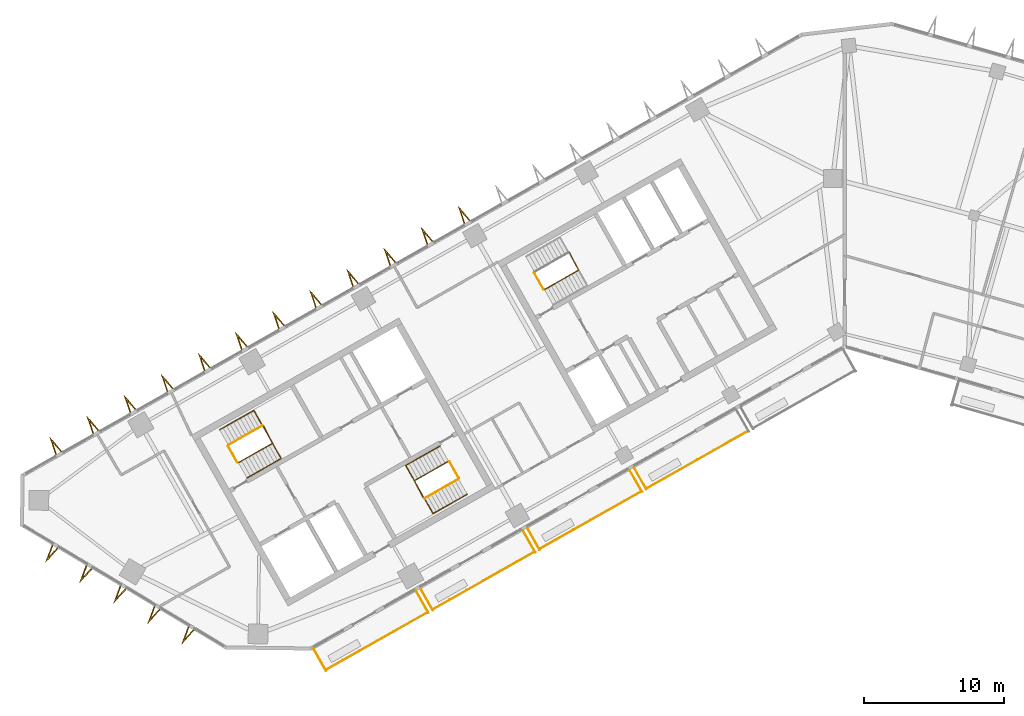
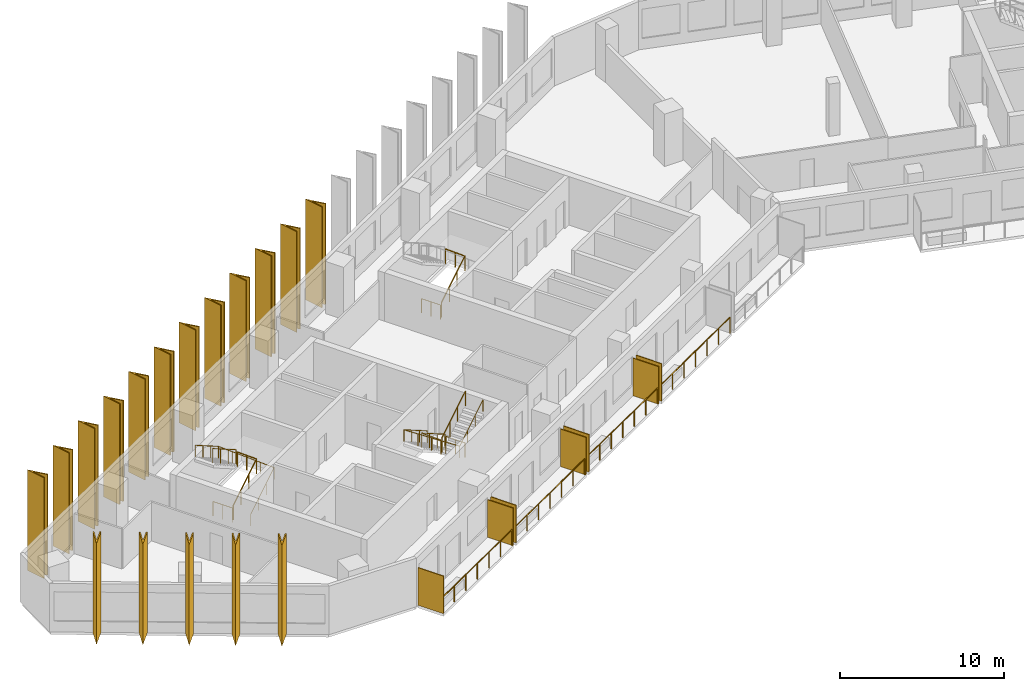
# One storey, part 10 of 12: 24 shading devices, 14 railings.
"""IFC4 building model written with IfcOpenShell, lengths in metres."""

from ifc_helpers import new_model, si_unit, direction, frame, origin, origin_2d, place, context, subcontext, project, spatial, polyline, rectangle, circle, outline, extrude, material, layer, layer_set, type_object, element, save


model = new_model("IFC4")

# Units and contexts
model_context = context("Model", 3, precision=1e-05, world=origin(), true_north=direction((0.0, 1.0)))
body_context = subcontext(model_context, "Body", "Model", "MODEL_VIEW")
ifc_project = project(units=[si_unit("LENGTHUNIT", "METRE"), si_unit("AREAUNIT", "SQUARE_METRE"), si_unit("VOLUMEUNIT", "CUBIC_METRE"), si_unit("PLANEANGLEUNIT", "RADIAN"), si_unit("MASSUNIT", "GRAM", prefix="KILO")], contexts=[model_context])

# Site, building, storey
site_placement = place(None, origin())
site = spatial("IfcSite", under=ifc_project, at=site_placement, CompositionType="ELEMENT")
building_placement = place(site_placement, origin())
building = spatial("IfcBuilding", under=site, at=building_placement, Name="Binnacle Exchange Tower", CompositionType="ELEMENT")
storey_placement = place(building_placement, frame((0.0, 0.0, 238.699951171875)))
storey = spatial("IfcBuildingStorey", under=building, at=storey_placement, Name="L52", CompositionType="ELEMENT", Elevation=238.699951171875)

# Railings
ifc_material_1 = material(Name="Bronze anodised aluminium frame", Category="aluminium")
railing_type_1 = type_object("IfcRailingType", Name="GUARD 1200", PredefinedType="GUARDRAIL", material=ifc_material_1)
railing_1_placement = place(storey_placement, frame((-37.006591796875, 24.94287109375, 0.0)))
element("IfcRailing", 1, at=railing_1_placement, inside=storey, type_object=railing_type_1, Name="Balcony guard G01-B00 L52", PredefinedType="GUARDRAIL", context=body_context, shape_type="SweptSolid", body=[
    extrude(circle(Radius=0.02392578125, at=origin_2d()), frame((0.0, 0.0, 1.17578125), z_axis=(0.870353267448, 0.492427852424, 0.0), x_axis=(-0.492427852424, 0.870353267448, 0.0)), (0.0, 0.0, 1.0), 8.334716796875),
    extrude(circle(Radius=0.02099609375, at=origin_2d()), origin(), (0.0, 0.0, 1.0), 1.15185546875),
    extrude(circle(Radius=0.02099609375, at=origin_2d()), frame((1.208984375, 0.68408203125, 0.0)), (0.0, 0.0, 1.0), 1.15185546875),
    extrude(circle(Radius=0.02099609375, at=origin_2d()), frame((2.41796875, 1.3681640625, 0.0)), (0.0, 0.0, 1.0), 1.15185546875),
    extrude(circle(Radius=0.02099609375, at=origin_2d()), frame((3.626953125, 2.05224609375, 0.0)), (0.0, 0.0, 1.0), 1.15185546875),
    extrude(circle(Radius=0.02099609375, at=origin_2d()), frame((4.836181640625, 2.736083984375, 0.0)), (0.0, 0.0, 1.0), 1.15185546875),
    extrude(circle(Radius=0.02099609375, at=origin_2d()), frame((6.045166015625, 3.420166015625, 0.0)), (0.0, 0.0, 1.0), 1.15185546875),
    extrude(circle(Radius=0.02099609375, at=origin_2d()), frame((7.254150390625, 4.104248046875, 0.0)), (0.0, 0.0, 1.0), 1.15185546875),
])
railing_2_placement = place(storey_placement, frame((-29.386962890625, 29.25390625, 0.0)))
element("IfcRailing", 2, at=railing_2_placement, inside=storey, type_object=railing_type_1, Name="Balcony guard G01-B01 L52", PredefinedType="GUARDRAIL", context=body_context, shape_type="SweptSolid", body=[
    extrude(circle(Radius=0.02392578125, at=origin_2d()), frame((0.0, 0.0, 1.17578125), z_axis=(0.870365821494, 0.492405662818, 0.0), x_axis=(-0.492405662818, 0.870365821494, 0.0)), (0.0, 0.0, 1.0), 8.334716796875),
    extrude(circle(Radius=0.02099609375, at=origin_2d()), origin(), (0.0, 0.0, 1.0), 1.15185546875),
    extrude(circle(Radius=0.02099609375, at=origin_2d()), frame((1.208984375, 0.68408203125, 0.0)), (0.0, 0.0, 1.0), 1.15185546875),
    extrude(circle(Radius=0.02099609375, at=origin_2d()), frame((2.41796875, 1.367919921875, 0.0)), (0.0, 0.0, 1.0), 1.15185546875),
    extrude(circle(Radius=0.02099609375, at=origin_2d()), frame((3.626953125, 2.052001953125, 0.0)), (0.0, 0.0, 1.0), 1.15185546875),
    extrude(circle(Radius=0.02099609375, at=origin_2d()), frame((4.836181640625, 2.736083984375, 0.0)), (0.0, 0.0, 1.0), 1.15185546875),
    extrude(circle(Radius=0.02099609375, at=origin_2d()), frame((6.045166015625, 3.419921875, 0.0)), (0.0, 0.0, 1.0), 1.15185546875),
    extrude(circle(Radius=0.02099609375, at=origin_2d()), frame((7.254150390625, 4.10400390625, 0.0)), (0.0, 0.0, 1.0), 1.15185546875),
])
for number, where, name in (
    (3, (-21.767333984375, 33.564697265625, 0.0), "Balcony guard G01-B02 L52"),
    (4, (-14.147705078125, 37.875732421875, 0.0), "Balcony guard G01-B03 L52"),
):
    element("IfcRailing", number, at=place(storey_placement, frame(where)), inside=storey, type_object=railing_type_1, Name=name, PredefinedType="GUARDRAIL", context=body_context, shape_type="SweptSolid", body=[
        extrude(circle(Radius=0.02392578125, at=origin_2d()), frame((0.0, 0.0, 1.17578125), z_axis=(0.8703461643, 0.49244040684, 0.0), x_axis=(-0.49244040684, 0.8703461643, 0.0)), (0.0, 0.0, 1.0), 8.33447265625),
        extrude(circle(Radius=0.02099609375, at=origin_2d()), origin(), (0.0, 0.0, 1.0), 1.15185546875),
        extrude(circle(Radius=0.02099609375, at=origin_2d()), frame((1.208984375, 0.68408203125, 0.0)), (0.0, 0.0, 1.0), 1.15185546875),
        extrude(circle(Radius=0.02099609375, at=origin_2d()), frame((2.41796875, 1.3681640625, 0.0)), (0.0, 0.0, 1.0), 1.15185546875),
        extrude(circle(Radius=0.02099609375, at=origin_2d()), frame((3.626953125, 2.05224609375, 0.0)), (0.0, 0.0, 1.0), 1.15185546875),
        extrude(circle(Radius=0.02099609375, at=origin_2d()), frame((4.8359375, 2.736083984375, 0.0)), (0.0, 0.0, 1.0), 1.15185546875),
        extrude(circle(Radius=0.02099609375, at=origin_2d()), frame((6.044921875, 3.420166015625, 0.0)), (0.0, 0.0, 1.0), 1.15185546875),
        extrude(circle(Radius=0.02099609375, at=origin_2d()), frame((7.25390625, 4.104248046875, 0.0)), (0.0, 0.0, 1.0), 1.15185546875),
    ])

# Shading devices
ifc_material_2 = material(Name="Bronze aluminium louvre", Category="aluminium")
ifc_layer = layer(ifc_material_2, 0.06005859375)
ifc_layer_set = layer_set([ifc_layer], Name="PLANTED SCREEN 60x2800")
shading_device_type_1 = type_object("IfcShadingDeviceType", Name="PLANTED SCREEN 60x2800", PredefinedType="USERDEFINED", material=ifc_layer_set)
for number, where, z_axis, x_axis, name in (
    (5, (-37.436279296875, 25.641845703125, 0.0), (0.0, 0.0, 1.0), (0.87035569594, 0.492423560103, 0.0), "Planted screen G01-B00a L52"),
    (6, (-30.130126953125, 29.775390625, 0.0), (0.0, 0.0, 1.0), (0.87035569594, 0.492423560103, 0.0), "Planted screen G01-B00b L52"),
    (7, (-29.81689453125, 29.95263671875, 0.0), (0.0, 0.0, 1.0), (0.87035569594, 0.492423560103, 0.0), "Planted screen G01-B01a L52"),
    (8, (-22.510498046875, 34.08642578125, 0.0), (0.0, 0.0, 1.0), (0.87035569594, 0.492423560103, 0.0), "Planted screen G01-B01b L52"),
    (9, (-22.197265625, 34.263671875, 0.0), (0.0, 0.0, 1.0), (0.87035569594, 0.492423560103, 0.0), "Planted screen G01-B02a L52"),
    (10, (-14.89111328125, 38.3974609375, 0.0), (0.0, 0.0, 1.0), (0.87035569594, 0.492423560103, 0.0), "Planted screen G01-B02b L52"),
    (11, (-14.57763671875, 38.57470703125, 0.0), (0.0, 0.0, 1.0), (0.87035569594, 0.492423560103, 0.0), "Planted screen G01-B03a L52"),
):
    element("IfcShadingDevice", number, at=place(storey_placement, frame(where, z_axis=z_axis, x_axis=x_axis)), inside=storey, type_object=shading_device_type_1, Name=name, ObjectType="SCREEN", PredefinedType="USERDEFINED", context=body_context, shape_type="SweptSolid", body=[
        extrude(rectangle(XDim=0.06005859375, YDim=1.800048828125, at=origin_2d()), origin(), (0.0, 0.0, 1.0), 2.800048828125),
    ])

# Railings
ifc_material_3 = material(Name="Steel guard rail", Category="steel")
railing_type_2 = type_object("IfcRailingType", Name="STAIR GUARD 1100", PredefinedType="GUARDRAIL", material=ifc_material_3)
railing_3_placement = place(storey_placement, frame((-43.26171875, 39.71728515625, 0.17724609375)))
element("IfcRailing", 12, at=railing_3_placement, inside=storey, type_object=railing_type_2, Name="L52 STA1 stair guard 1", PredefinedType="GUARDRAIL", context=body_context, shape_type="SweptSolid", body=[
    extrude(circle(Radius=0.02392578125, at=origin_2d()), frame((0.0, 0.0, 1.076171875), z_axis=(0.735358749054, 0.416079564682, 0.534906819964), x_axis=(-0.492453686477, 0.870338650569, 0.0)), (0.0, 0.0, 1.0), 3.31396484375),
    extrude(circle(Radius=0.02392578125, at=origin_2d()), frame((2.43701171875, 1.37890625, 2.8486328125), z_axis=(-0.461100321709, 0.887348011391, 0.0), x_axis=(-0.887348011391, -0.461100321709, 0.0)), (0.0, 0.0, 1.0), 1.40087890625),
    extrude(circle(Radius=0.02099609375, at=origin_2d()), origin(), (0.0, 0.0, 1.0), 1.052001953125),
    extrude(circle(Radius=0.02099609375, at=origin_2d()), frame((0.812255859375, 0.459716796875, 0.5908203125)), (0.0, 0.0, 1.0), 1.052001953125),
    extrude(circle(Radius=0.02099609375, at=origin_2d()), frame((1.624755859375, 0.919189453125, 1.181884765625)), (0.0, 0.0, 1.0), 1.052001953125),
    extrude(circle(Radius=0.02099609375, at=origin_2d()), frame((2.43701171875, 1.37890625, 1.772705078125)), (0.0, 0.0, 1.0), 1.052001953125),
    extrude(circle(Radius=0.02099609375, at=origin_2d()), frame((2.114013671875, 2.00048828125, 1.772705078125)), (0.0, 0.0, 1.0), 1.052001953125),
    extrude(circle(Radius=0.02099609375, at=origin_2d()), frame((1.791015625, 2.6220703125, 1.772705078125)), (0.0, 0.0, 1.0), 1.052001953125),
])
railing_4_placement = place(storey_placement, frame((-41.538818359375, 42.358154296875, 2.12744140625)))
element("IfcRailing", 13, at=railing_4_placement, inside=storey, type_object=railing_type_2, Name="L52 STA1 stair guard 2", PredefinedType="GUARDRAIL", context=body_context, shape_type="SweptSolid", body=[
    extrude(circle(Radius=0.02392578125, at=origin_2d()), frame((0.0, 0.0, 1.076171875), z_axis=(-0.735358749054, -0.416079564682, 0.534906819964), x_axis=(0.492453686477, -0.870338650569, 0.0)), (0.0, 0.0, 1.0), 3.31396484375),
    extrude(circle(Radius=0.02099609375, at=origin_2d()), origin(), (0.0, 0.0, 1.0), 1.052001953125),
    extrude(circle(Radius=0.02099609375, at=origin_2d()), frame((-0.812255859375, -0.459716796875, 0.5908203125)), (0.0, 0.0, 1.0), 1.052001953125),
    extrude(circle(Radius=0.02099609375, at=origin_2d()), frame((-1.624755859375, -0.919189453125, 1.181884765625)), (0.0, 0.0, 1.0), 1.052001953125),
    extrude(circle(Radius=0.02099609375, at=origin_2d()), frame((-2.43701171875, -1.37890625, 1.772705078125)), (0.0, 0.0, 1.0), 1.052001953125),
])
railing_5_placement = place(storey_placement, frame((-43.329833984375, 39.736328125, 0.0)))
element("IfcRailing", 14, at=railing_5_placement, inside=storey, type_object=railing_type_2, Name="L52 STA1 stair guard 3", PredefinedType="GUARDRAIL", context=body_context, shape_type="SweptSolid", body=[
    extrude(circle(Radius=0.02392578125, at=origin_2d()), frame((0.0, 0.0, 1.076171875), z_axis=(-0.4924922531, 0.870316827734, 0.0), x_axis=(-0.870316827734, -0.4924922531, 0.0)), (0.0, 0.0, 1.0), 1.349853515625),
    extrude(circle(Radius=0.02099609375, at=origin_2d()), origin(), (0.0, 0.0, 1.0), 1.052001953125),
    extrude(circle(Radius=0.02099609375, at=origin_2d()), frame((-0.33251953125, 0.58740234375, 0.0)), (0.0, 0.0, 1.0), 1.052001953125),
    extrude(circle(Radius=0.02099609375, at=origin_2d()), frame((-0.664794921875, 1.1748046875, 0.0)), (0.0, 0.0, 1.0), 1.052001953125),
])
railing_6_placement = place(storey_placement, frame((-28.265380859375, 39.814453125, 0.17724609375)))
element("IfcRailing", 15, at=railing_6_placement, inside=storey, type_object=railing_type_2, Name="L52 STA2 stair guard 1", PredefinedType="GUARDRAIL", context=body_context, shape_type="SweptSolid", body=[
    extrude(circle(Radius=0.02392578125, at=origin_2d()), frame((0.0, 0.0, 1.076171875), z_axis=(-0.735381288273, -0.416018647052, 0.534923215202), x_axis=(0.492387636113, -0.870376019777, 0.0)), (0.0, 0.0, 1.0), 3.31396484375),
    extrude(circle(Radius=0.02392578125, at=origin_2d()), frame((-2.43701171875, -1.378662109375, 2.8486328125), z_axis=(0.460963092712, -0.887419307406, 0.0), x_axis=(0.887419307406, 0.460963092712, 0.0)), (0.0, 0.0, 1.0), 1.40087890625),
    extrude(circle(Radius=0.02099609375, at=origin_2d()), origin(), (0.0, 0.0, 1.0), 1.052001953125),
    extrude(circle(Radius=0.02099609375, at=origin_2d()), frame((-0.812255859375, -0.45947265625, 0.5908203125)), (0.0, 0.0, 1.0), 1.052001953125),
    extrude(circle(Radius=0.02099609375, at=origin_2d()), frame((-1.624755859375, -0.919189453125, 1.181884765625)), (0.0, 0.0, 1.0), 1.052001953125),
    extrude(circle(Radius=0.02099609375, at=origin_2d()), frame((-2.43701171875, -1.378662109375, 1.772705078125)), (0.0, 0.0, 1.0), 1.052001953125),
    extrude(circle(Radius=0.02099609375, at=origin_2d()), frame((-2.1142578125, -2.000244140625, 1.772705078125)), (0.0, 0.0, 1.0), 1.052001953125),
    extrude(circle(Radius=0.02099609375, at=origin_2d()), frame((-1.791259765625, -2.621826171875, 1.772705078125)), (0.0, 0.0, 1.0), 1.052001953125),
])
railing_7_placement = place(storey_placement, frame((-29.988525390625, 37.173583984375, 2.12744140625)))
element("IfcRailing", 16, at=railing_7_placement, inside=storey, type_object=railing_type_2, Name="L52 STA2 stair guard 2", PredefinedType="GUARDRAIL", context=body_context, shape_type="SweptSolid", body=[
    extrude(circle(Radius=0.02392578125, at=origin_2d()), frame((0.0, 0.0, 1.076171875), z_axis=(0.735358749054, 0.416079564682, 0.534906819964), x_axis=(-0.492453686477, 0.870338650569, 0.0)), (0.0, 0.0, 1.0), 3.31396484375),
    extrude(circle(Radius=0.02099609375, at=origin_2d()), origin(), (0.0, 0.0, 1.0), 1.052001953125),
    extrude(circle(Radius=0.02099609375, at=origin_2d()), frame((0.812255859375, 0.459716796875, 0.5908203125)), (0.0, 0.0, 1.0), 1.052001953125),
    extrude(circle(Radius=0.02099609375, at=origin_2d()), frame((1.624755859375, 0.919189453125, 1.181884765625)), (0.0, 0.0, 1.0), 1.052001953125),
    extrude(circle(Radius=0.02099609375, at=origin_2d()), frame((2.43701171875, 1.37890625, 1.772705078125)), (0.0, 0.0, 1.0), 1.052001953125),
])
railing_8_placement = place(storey_placement, frame((-28.197265625, 39.795654296875, 0.0)))
element("IfcRailing", 17, at=railing_8_placement, inside=storey, type_object=railing_type_2, Name="L52 STA2 stair guard 3", PredefinedType="GUARDRAIL", context=body_context, shape_type="SweptSolid", body=[
    extrude(circle(Radius=0.02392578125, at=origin_2d()), frame((0.0, 0.0, 1.076171875), z_axis=(0.49241474071, -0.870360685654, 0.0), x_axis=(0.870360685654, 0.49241474071, 0.0)), (0.0, 0.0, 1.0), 1.35009765625),
    extrude(circle(Radius=0.02099609375, at=origin_2d()), origin(), (0.0, 0.0, 1.0), 1.052001953125),
    extrude(circle(Radius=0.02099609375, at=origin_2d()), frame((0.33251953125, -0.58740234375, 0.0)), (0.0, 0.0, 1.0), 1.052001953125),
    extrude(circle(Radius=0.02099609375, at=origin_2d()), frame((0.664794921875, -1.175048828125, 0.0)), (0.0, 0.0, 1.0), 1.052001953125),
])
railing_9_placement = place(storey_placement, frame((-21.423828125, 52.07275390625, 0.17724609375)))
element("IfcRailing", 18, at=railing_9_placement, inside=storey, type_object=railing_type_2, Name="L52 STC1 stair guard 1", PredefinedType="GUARDRAIL", context=body_context, shape_type="SweptSolid", body=[
    extrude(circle(Radius=0.02392578125, at=origin_2d()), frame((0.0, 0.0, 1.076171875), z_axis=(0.735381288273, 0.416018647052, 0.534923215202), x_axis=(-0.492387636113, 0.870376019777, 0.0)), (0.0, 0.0, 1.0), 3.31396484375),
    extrude(circle(Radius=0.02392578125, at=origin_2d()), frame((2.43701171875, 1.378662109375, 2.8486328125), z_axis=(-0.460963092712, 0.887419307406, 0.0), x_axis=(-0.887419307406, -0.460963092712, 0.0)), (0.0, 0.0, 1.0), 1.40087890625),
    extrude(circle(Radius=0.02099609375, at=origin_2d()), origin(), (0.0, 0.0, 1.0), 1.052001953125),
    extrude(circle(Radius=0.02099609375, at=origin_2d()), frame((0.812255859375, 0.45947265625, 0.5908203125)), (0.0, 0.0, 1.0), 1.052001953125),
    extrude(circle(Radius=0.02099609375, at=origin_2d()), frame((1.624755859375, 0.919189453125, 1.181884765625)), (0.0, 0.0, 1.0), 1.052001953125),
    extrude(circle(Radius=0.02099609375, at=origin_2d()), frame((2.43701171875, 1.378662109375, 1.772705078125)), (0.0, 0.0, 1.0), 1.052001953125),
    extrude(circle(Radius=0.02099609375, at=origin_2d()), frame((2.1142578125, 2.000244140625, 1.772705078125)), (0.0, 0.0, 1.0), 1.052001953125),
    extrude(circle(Radius=0.02099609375, at=origin_2d()), frame((1.791259765625, 2.621826171875, 1.772705078125)), (0.0, 0.0, 1.0), 1.052001953125),
])
railing_10_placement = place(storey_placement, frame((-21.491943359375, 52.091552734375, 0.0)))
element("IfcRailing", 19, at=railing_10_placement, inside=storey, type_object=railing_type_2, Name="L52 STC1 stair guard 3", PredefinedType="GUARDRAIL", context=body_context, shape_type="SweptSolid", body=[
    extrude(circle(Radius=0.02392578125, at=origin_2d()), frame((0.0, 0.0, 1.076171875), z_axis=(-0.49241474071, 0.870360685654, 0.0), x_axis=(-0.870360685654, -0.49241474071, 0.0)), (0.0, 0.0, 1.0), 1.35009765625),
    extrude(circle(Radius=0.02099609375, at=origin_2d()), origin(), (0.0, 0.0, 1.0), 1.052001953125),
    extrude(circle(Radius=0.02099609375, at=origin_2d()), frame((-0.33251953125, 0.58740234375, 0.0)), (0.0, 0.0, 1.0), 1.052001953125),
    extrude(circle(Radius=0.02099609375, at=origin_2d()), frame((-0.664794921875, 1.175048828125, 0.0)), (0.0, 0.0, 1.0), 1.052001953125),
])
ifc_material_4 = material(Name="Steel handrail", Category="steel")
railing_type_3 = type_object("IfcRailingType", Name="STAIR HANDRAIL 900", PredefinedType="HANDRAIL", material=ifc_material_4)
railing_11_placement = place(storey_placement, frame((-42.646240234375, 38.62939453125, 0.17724609375)))
element("IfcRailing", 20, at=railing_11_placement, inside=storey, type_object=railing_type_3, Name="L52 STA1 stair handrail 1", PredefinedType="HANDRAIL", context=body_context, shape_type="SweptSolid", body=[
    extrude(circle(Radius=0.02392578125, at=origin_2d()), frame((0.0, 0.0, 0.8759765625), z_axis=(0.735381288273, 0.416018647052, 0.534923215202), x_axis=(-0.492387636113, 0.870376019777, 0.0)), (0.0, 0.0, 1.0), 3.31396484375),
    extrude(circle(Radius=0.02392578125, at=origin_2d()), frame((2.43701171875, 1.378662109375, 2.6484375), z_axis=(-0.491917278502, 0.869484011028, 0.044888146287), x_axis=(-0.870361318571, -0.492413622004, 0.0)), (0.0, 0.0, 1.0), 3.9541015625),
    extrude(circle(Radius=0.02392578125, at=origin_2d()), frame((0.491943359375, 4.816650390625, 2.826171875), z_axis=(-0.735381288273, -0.416018647052, 0.534923215202), x_axis=(0.492387636113, -0.870376019777, 0.0)), (0.0, 0.0, 1.0), 3.31396484375),
    extrude(circle(Radius=0.02099609375, at=origin_2d()), origin(), (0.0, 0.0, 1.0), 0.851806640625),
    extrude(circle(Radius=0.02099609375, at=origin_2d()), frame((0.812255859375, 0.45947265625, 0.5908203125)), (0.0, 0.0, 1.0), 0.851806640625),
    extrude(circle(Radius=0.02099609375, at=origin_2d()), frame((1.624755859375, 0.919189453125, 1.181884765625)), (0.0, 0.0, 1.0), 0.851806640625),
    extrude(circle(Radius=0.02099609375, at=origin_2d()), frame((2.43701171875, 1.378662109375, 1.772705078125)), (0.0, 0.0, 1.0), 0.851806640625),
    extrude(circle(Radius=0.02099609375, at=origin_2d()), frame((1.95068359375, 2.23828125, 1.817138671875)), (0.0, 0.0, 1.0), 0.851806640625),
    extrude(circle(Radius=0.02099609375, at=origin_2d()), frame((1.46435546875, 3.09765625, 1.861328125)), (0.0, 0.0, 1.0), 0.851806640625),
    extrude(circle(Radius=0.02099609375, at=origin_2d()), frame((0.978271484375, 3.95703125, 1.90576171875)), (0.0, 0.0, 1.0), 0.851806640625),
    extrude(circle(Radius=0.02099609375, at=origin_2d()), frame((0.491943359375, 4.816650390625, 1.9501953125)), (0.0, 0.0, 1.0), 0.851806640625),
    extrude(circle(Radius=0.02099609375, at=origin_2d()), frame((-0.3203125, 4.357177734375, 2.541015625)), (0.0, 0.0, 1.0), 0.851806640625),
    extrude(circle(Radius=0.02099609375, at=origin_2d()), frame((-1.1328125, 3.8974609375, 3.132080078125)), (0.0, 0.0, 1.0), 0.851806640625),
    extrude(circle(Radius=0.02099609375, at=origin_2d()), frame((-1.945068359375, 3.43798828125, 3.722900390625)), (0.0, 0.0, 1.0), 0.851806640625),
])
railing_12_placement = place(storey_placement, frame((-28.880859375, 40.90234375, 0.17724609375)))
element("IfcRailing", 21, at=railing_12_placement, inside=storey, type_object=railing_type_3, Name="L52 STA2 stair handrail 1", PredefinedType="HANDRAIL", context=body_context, shape_type="SweptSolid", body=[
    extrude(circle(Radius=0.02392578125, at=origin_2d()), frame((0.0, 0.0, 0.8759765625), z_axis=(-0.735381288273, -0.416018647052, 0.534923215202), x_axis=(0.492387636113, -0.870376019777, 0.0)), (0.0, 0.0, 1.0), 3.31396484375),
    extrude(circle(Radius=0.02392578125, at=origin_2d()), frame((-2.43701171875, -1.378662109375, 2.6484375), z_axis=(0.491917278502, -0.869484011028, 0.044888146287), x_axis=(0.870361318571, 0.492413622004, 0.0)), (0.0, 0.0, 1.0), 3.9541015625),
    extrude(circle(Radius=0.02392578125, at=origin_2d()), frame((-0.491943359375, -4.816650390625, 2.826171875), z_axis=(0.735358749054, 0.416079564682, 0.534906819964), x_axis=(-0.492453686477, 0.870338650569, 0.0)), (0.0, 0.0, 1.0), 3.31396484375),
    extrude(circle(Radius=0.02099609375, at=origin_2d()), origin(), (0.0, 0.0, 1.0), 0.851806640625),
    extrude(circle(Radius=0.02099609375, at=origin_2d()), frame((-0.812255859375, -0.45947265625, 0.5908203125)), (0.0, 0.0, 1.0), 0.851806640625),
    extrude(circle(Radius=0.02099609375, at=origin_2d()), frame((-1.624755859375, -0.919189453125, 1.181884765625)), (0.0, 0.0, 1.0), 0.851806640625),
    extrude(circle(Radius=0.02099609375, at=origin_2d()), frame((-2.43701171875, -1.378662109375, 1.772705078125)), (0.0, 0.0, 1.0), 0.851806640625),
    extrude(circle(Radius=0.02099609375, at=origin_2d()), frame((-1.95068359375, -2.23828125, 1.817138671875)), (0.0, 0.0, 1.0), 0.851806640625),
    extrude(circle(Radius=0.02099609375, at=origin_2d()), frame((-1.46435546875, -3.09765625, 1.861328125)), (0.0, 0.0, 1.0), 0.851806640625),
    extrude(circle(Radius=0.02099609375, at=origin_2d()), frame((-0.978271484375, -3.95703125, 1.90576171875)), (0.0, 0.0, 1.0), 0.851806640625),
    extrude(circle(Radius=0.02099609375, at=origin_2d()), frame((-0.491943359375, -4.816650390625, 1.9501953125)), (0.0, 0.0, 1.0), 0.851806640625),
    extrude(circle(Radius=0.02099609375, at=origin_2d()), frame((0.3203125, -4.35693359375, 2.541015625)), (0.0, 0.0, 1.0), 0.851806640625),
    extrude(circle(Radius=0.02099609375, at=origin_2d()), frame((1.1328125, -3.8974609375, 3.132080078125)), (0.0, 0.0, 1.0), 0.851806640625),
    extrude(circle(Radius=0.02099609375, at=origin_2d()), frame((1.945068359375, -3.437744140625, 3.722900390625)), (0.0, 0.0, 1.0), 0.851806640625),
])

# Shading devices
ifc_material_5 = material(Name="Bronze aluminium cladding", Category="aluminium")
shading_device_type_2 = type_object("IfcShadingDeviceType", Name="V FIN 1300 DEEP x 7520 HIGH", PredefinedType="USERDEFINED", material=ifc_material_5)
shading_device_1_placement = place(storey_placement, origin())
element("IfcShadingDevice", 22, at=shading_device_1_placement, inside=storey, type_object=shading_device_type_2, Name="V fin FN-G08-09 L52", ObjectType="FIN", PredefinedType="USERDEFINED", context=body_context, shape_type="SweptSolid", body=[
    extrude(outline(polyline([(-26.72900390625, 57.02099609375), (-27.586669921875, 58.029541015625), (-27.1640625, 56.77490234375), (-27.09326171875, 56.81494140625), (-27.3779296875, 57.660888671875), (-26.7998046875, 56.98095703125), (-26.72900390625, 57.02099609375)])), origin(), (0.0, 0.0, 1.0), 7.52001953125),
])
shading_device_2_placement = place(storey_placement, origin())
element("IfcShadingDevice", 23, at=shading_device_2_placement, inside=storey, type_object=shading_device_type_2, Name="V fin FN-G08-10 L52", ObjectType="FIN", PredefinedType="USERDEFINED", context=body_context, shape_type="SweptSolid", body=[
    extrude(outline(polyline([(-29.377685546875, 55.5224609375), (-30.2353515625, 56.531005859375), (-29.812744140625, 55.2763671875), (-29.741943359375, 55.31640625), (-30.026611328125, 56.162109375), (-29.448486328125, 55.482421875), (-29.377685546875, 55.5224609375)])), origin(), (0.0, 0.0, 1.0), 7.52001953125),
])
shading_device_3_placement = place(storey_placement, origin())
element("IfcShadingDevice", 24, at=shading_device_3_placement, inside=storey, type_object=shading_device_type_2, Name="V fin FN-G08-11 L52", ObjectType="FIN", PredefinedType="USERDEFINED", context=body_context, shape_type="SweptSolid", body=[
    extrude(outline(polyline([(-32.0263671875, 54.02392578125), (-32.884033203125, 55.032470703125), (-32.46142578125, 53.77783203125), (-32.390625, 53.81787109375), (-32.67529296875, 54.663818359375), (-32.09716796875, 53.98388671875), (-32.0263671875, 54.02392578125)])), origin(), (0.0, 0.0, 1.0), 7.52001953125),
])
shading_device_4_placement = place(storey_placement, origin())
element("IfcShadingDevice", 25, at=shading_device_4_placement, inside=storey, type_object=shading_device_type_2, Name="V fin FN-G08-12 L52", ObjectType="FIN", PredefinedType="USERDEFINED", context=body_context, shape_type="SweptSolid", body=[
    extrude(outline(polyline([(-34.675048828125, 52.525390625), (-35.53271484375, 53.53369140625), (-35.110107421875, 52.279296875), (-35.039306640625, 52.3193359375), (-35.32421875, 53.1650390625), (-34.745849609375, 52.4853515625), (-34.675048828125, 52.525390625)])), origin(), (0.0, 0.0, 1.0), 7.52001953125),
])
shading_device_5_placement = place(storey_placement, origin())
element("IfcShadingDevice", 26, at=shading_device_5_placement, inside=storey, type_object=shading_device_type_2, Name="V fin FN-G08-13 L52", ObjectType="FIN", PredefinedType="USERDEFINED", context=body_context, shape_type="SweptSolid", body=[
    extrude(outline(polyline([(-37.32373046875, 51.02685546875), (-38.181640625, 52.03515625), (-37.759033203125, 50.780517578125), (-37.68798828125, 50.82080078125), (-37.972900390625, 51.66650390625), (-37.394775390625, 50.98681640625), (-37.32373046875, 51.02685546875)])), origin(), (0.0, 0.0, 1.0), 7.52001953125),
])
shading_device_6_placement = place(storey_placement, origin())
element("IfcShadingDevice", 27, at=shading_device_6_placement, inside=storey, type_object=shading_device_type_2, Name="V fin FN-G08-14 L52", ObjectType="FIN", PredefinedType="USERDEFINED", context=body_context, shape_type="SweptSolid", body=[
    extrude(outline(polyline([(-39.972412109375, 49.5283203125), (-40.830322265625, 50.53662109375), (-40.40771484375, 49.281982421875), (-40.3369140625, 49.322021484375), (-40.62158203125, 50.16796875), (-40.04345703125, 49.488037109375), (-39.972412109375, 49.5283203125)])), origin(), (0.0, 0.0, 1.0), 7.52001953125),
])
shading_device_7_placement = place(storey_placement, origin())
element("IfcShadingDevice", 28, at=shading_device_7_placement, inside=storey, type_object=shading_device_type_2, Name="V fin FN-G08-15 L52", ObjectType="FIN", PredefinedType="USERDEFINED", context=body_context, shape_type="SweptSolid", body=[
    extrude(outline(polyline([(-42.621337890625, 48.029541015625), (-43.47900390625, 49.0380859375), (-43.056396484375, 47.783447265625), (-42.985595703125, 47.823486328125), (-43.2705078125, 48.669189453125), (-42.692138671875, 47.989501953125), (-42.621337890625, 48.029541015625)])), origin(), (0.0, 0.0, 1.0), 7.52001953125),
])
shading_device_8_placement = place(storey_placement, origin())
element("IfcShadingDevice", 29, at=shading_device_8_placement, inside=storey, type_object=shading_device_type_2, Name="V fin FN-G08-16 L52", ObjectType="FIN", PredefinedType="USERDEFINED", context=body_context, shape_type="SweptSolid", body=[
    extrude(outline(polyline([(-45.27001953125, 46.531005859375), (-46.127685546875, 47.539306640625), (-45.705078125, 46.284912109375), (-45.63427734375, 46.324951171875), (-45.919189453125, 47.170654296875), (-45.3408203125, 46.490966796875), (-45.27001953125, 46.531005859375)])), origin(), (0.0, 0.0, 1.0), 7.52001953125),
])
shading_device_9_placement = place(storey_placement, origin())
element("IfcShadingDevice", 30, at=shading_device_9_placement, inside=storey, type_object=shading_device_type_2, Name="V fin FN-G08-17 L52", ObjectType="FIN", PredefinedType="USERDEFINED", context=body_context, shape_type="SweptSolid", body=[
    extrude(outline(polyline([(-47.918701171875, 45.032470703125), (-48.776611328125, 46.040771484375), (-48.35400390625, 44.7861328125), (-48.283203125, 44.826416015625), (-48.56787109375, 45.672119140625), (-47.98974609375, 44.9921875), (-47.918701171875, 45.032470703125)])), origin(), (0.0, 0.0, 1.0), 7.52001953125),
])
shading_device_10_placement = place(storey_placement, origin())
element("IfcShadingDevice", 31, at=shading_device_10_placement, inside=storey, type_object=shading_device_type_2, Name="V fin FN-G08-18 L52", ObjectType="FIN", PredefinedType="USERDEFINED", context=body_context, shape_type="SweptSolid", body=[
    extrude(outline(polyline([(-50.5673828125, 43.533935546875), (-51.42529296875, 44.542236328125), (-51.002685546875, 43.28759765625), (-50.931884765625, 43.327880859375), (-51.216552734375, 44.173583984375), (-50.638427734375, 43.493896484375), (-50.5673828125, 43.533935546875)])), origin(), (0.0, 0.0, 1.0), 7.52001953125),
])
shading_device_11_placement = place(storey_placement, origin())
element("IfcShadingDevice", 32, at=shading_device_11_placement, inside=storey, type_object=shading_device_type_2, Name="V fin FN-G08-19 L52", ObjectType="FIN", PredefinedType="USERDEFINED", context=body_context, shape_type="SweptSolid", body=[
    extrude(outline(polyline([(-53.21630859375, 42.035400390625), (-54.073974609375, 43.043701171875), (-53.6513671875, 41.7890625), (-53.58056640625, 41.8291015625), (-53.865234375, 42.675048828125), (-53.287109375, 41.9951171875), (-53.21630859375, 42.035400390625)])), origin(), (0.0, 0.0, 1.0), 7.52001953125),
])
shading_device_12_placement = place(storey_placement, origin())
element("IfcShadingDevice", 33, at=shading_device_12_placement, inside=storey, type_object=shading_device_type_2, Name="V fin FN-G08-20 L52", ObjectType="FIN", PredefinedType="USERDEFINED", context=body_context, shape_type="SweptSolid", body=[
    extrude(outline(polyline([(-55.864990234375, 40.53662109375), (-56.722900390625, 41.545166015625), (-56.30029296875, 40.29052734375), (-56.229248046875, 40.33056640625), (-56.51416015625, 41.176513671875), (-55.935791015625, 40.49658203125), (-55.864990234375, 40.53662109375)])), origin(), (0.0, 0.0, 1.0), 7.52001953125),
])
shading_device_13_placement = place(storey_placement, origin())
element("IfcShadingDevice", 34, at=shading_device_13_placement, inside=storey, type_object=shading_device_type_2, Name="V fin FN-G10-01 L52", ObjectType="FIN", PredefinedType="USERDEFINED", context=body_context, shape_type="SweptSolid", body=[
    extrude(outline(polyline([(-56.566162109375, 33.842529296875), (-57.021240234375, 32.599365234375), (-56.137451171875, 33.5849609375), (-56.207275390625, 33.626953125), (-56.80322265625, 32.96240234375), (-56.496337890625, 33.800537109375), (-56.566162109375, 33.842529296875)])), origin(), (0.0, 0.0, 1.0), 7.52001953125),
])
shading_device_14_placement = place(storey_placement, origin())
element("IfcShadingDevice", 35, at=shading_device_14_placement, inside=storey, type_object=shading_device_type_2, Name="V fin FN-G10-02 L52", ObjectType="FIN", PredefinedType="USERDEFINED", context=body_context, shape_type="SweptSolid", body=[
    extrude(outline(polyline([(-54.137451171875, 32.38330078125), (-54.592529296875, 31.14013671875), (-53.708740234375, 32.12548828125), (-53.778564453125, 32.16748046875), (-54.37451171875, 31.503173828125), (-54.067626953125, 32.34130859375), (-54.137451171875, 32.38330078125)])), origin(), (0.0, 0.0, 1.0), 7.52001953125),
])
shading_device_15_placement = place(storey_placement, origin())
element("IfcShadingDevice", 36, at=shading_device_15_placement, inside=storey, type_object=shading_device_type_2, Name="V fin FN-G10-03 L52", ObjectType="FIN", PredefinedType="USERDEFINED", context=body_context, shape_type="SweptSolid", body=[
    extrude(outline(polyline([(-51.708740234375, 30.923828125), (-52.1640625, 29.680908203125), (-51.2802734375, 30.666259765625), (-51.35009765625, 30.708251953125), (-51.94580078125, 30.0439453125), (-51.638916015625, 30.8818359375), (-51.708740234375, 30.923828125)])), origin(), (0.0, 0.0, 1.0), 7.52001953125),
])
shading_device_16_placement = place(storey_placement, origin())
element("IfcShadingDevice", 37, at=shading_device_16_placement, inside=storey, type_object=shading_device_type_2, Name="V fin FN-G10-04 L52", ObjectType="FIN", PredefinedType="USERDEFINED", context=body_context, shape_type="SweptSolid", body=[
    extrude(outline(polyline([(-49.280029296875, 29.464599609375), (-49.7353515625, 28.2216796875), (-48.8515625, 29.20703125), (-48.92138671875, 29.2490234375), (-49.51708984375, 28.584716796875), (-49.210205078125, 29.422607421875), (-49.280029296875, 29.464599609375)])), origin(), (0.0, 0.0, 1.0), 7.52001953125),
])
shading_device_17_placement = place(storey_placement, origin())
element("IfcShadingDevice", 38, at=shading_device_17_placement, inside=storey, type_object=shading_device_type_2, Name="V fin FN-G10-05 L52", ObjectType="FIN", PredefinedType="USERDEFINED", context=body_context, shape_type="SweptSolid", body=[
    extrude(outline(polyline([(-46.8515625, 28.00537109375), (-47.306640625, 26.76220703125), (-46.4228515625, 27.747802734375), (-46.49267578125, 27.789794921875), (-47.088623046875, 27.12548828125), (-46.78173828125, 27.96337890625), (-46.8515625, 28.00537109375)])), origin(), (0.0, 0.0, 1.0), 7.52001953125),
])

save(model, "model.ifc")
